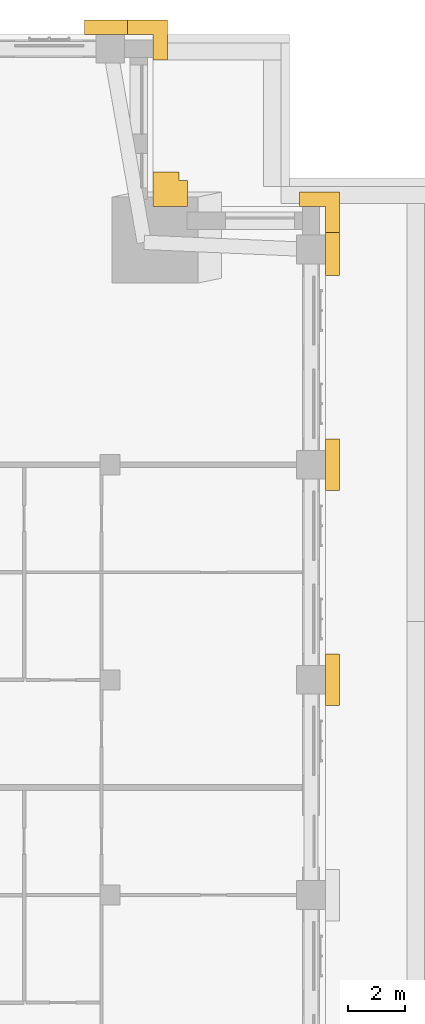
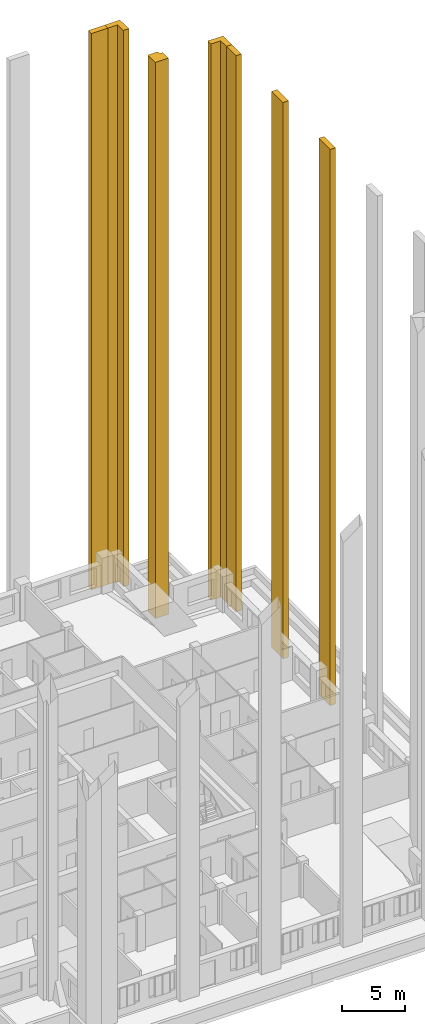
# One storey, part 12 of 12: 7 coverings.
"""IFC4 building model written with IfcOpenShell, lengths in metres."""

from ifc_helpers import new_model, si_unit, direction, frame, origin, place, context, subcontext, project, spatial, polyline, outline, extrude, material, layer, layer_set, type_object, element, save


model = new_model("IFC4")

# Units and contexts
model_context = context("Model", 3, precision=1e-05, world=origin(), true_north=direction((0.0, 1.0)))
body_context = subcontext(model_context, "Body", "Model", "MODEL_VIEW")
ifc_project = project(units=[si_unit("LENGTHUNIT", "METRE"), si_unit("AREAUNIT", "SQUARE_METRE"), si_unit("VOLUMEUNIT", "CUBIC_METRE"), si_unit("PLANEANGLEUNIT", "RADIAN"), si_unit("MASSUNIT", "GRAM", prefix="KILO")], contexts=[model_context])

# Site, building, storey
site_placement = place(None, origin())
site = spatial("IfcSite", under=ifc_project, at=site_placement, CompositionType="ELEMENT")
building_placement = place(site_placement, origin())
building = spatial("IfcBuilding", under=site, at=building_placement, Name="Tamorin Gate", CompositionType="ELEMENT")
storey_placement = place(building_placement, frame((0.0, 0.0, 266.199951171875)))
storey = spatial("IfcBuildingStorey", under=building, at=storey_placement, Name="L66", CompositionType="ELEMENT", Elevation=266.199951171875)

# Coverings
ifc_material = material(Name="Precast concrete C40/50", Category="concrete")
ifc_layer_1 = layer(ifc_material, 0.5)
ifc_layer_set_1 = layer_set([ifc_layer_1], Name="Corner pier cladding 500")
covering_type_1 = type_object("IfcCoveringType", Name="Corner pier cladding 500", PredefinedType="CLADDING", material=ifc_layer_set_1)
covering_1_placement = place(storey_placement, origin())
element("IfcCovering", 1, at=covering_1_placement, inside=storey, type_object=covering_type_1, Name="Corner pier", PredefinedType="CLADDING", context=body_context, shape_type="SweptSolid", body=[
    extrude(outline(polyline([(75.5, 92.0), (75.5, 90.60009765625), (75.0, 90.60009765625), (75.0, 91.5), (74.10009765625, 91.5), (74.10009765625, 92.0), (75.5, 92.0)])), origin(), (0.0, 0.0, 1.0), 54.0),
])
covering_2_placement = place(storey_placement, origin())
element("IfcCovering", 2, at=covering_2_placement, inside=storey, type_object=covering_type_1, Name="Corner pier", PredefinedType="CLADDING", context=body_context, shape_type="SweptSolid", body=[
    extrude(outline(polyline([(69.5, 98.0), (69.5, 96.60009765625), (69.0, 96.60009765625), (69.0, 97.5), (68.10009765625, 97.5), (68.10009765625, 98.0), (69.5, 98.0)])), origin(), (0.0, 0.0, 1.0), 54.0),
])
ifc_layer_2 = layer(ifc_material, 0.89990234375)
ifc_layer_set_2 = layer_set([ifc_layer_2], Name="Corner pier cladding 900")
covering_type_2 = type_object("IfcCoveringType", Name="Corner pier cladding 900", PredefinedType="CLADDING", material=ifc_layer_set_2)
covering_3_placement = place(storey_placement, origin())
element("IfcCovering", 3, at=covering_3_placement, inside=storey, type_object=covering_type_2, Name="Corner pier", PredefinedType="CLADDING", context=body_context, shape_type="SweptSolid", body=[
    extrude(outline(polyline([(69.89990234375, 92.39990234375), (70.199951171875, 92.39990234375), (70.199951171875, 91.5), (69.0, 91.5), (69.0, 92.699951171875), (69.89990234375, 92.699951171875), (69.89990234375, 92.39990234375)])), origin(), (0.0, 0.0, 1.0), 54.0),
])
ifc_layer_3 = layer(ifc_material, 0.5)
ifc_layer_set_3 = layer_set([ifc_layer_3], Name="Precast concrete C40/50")
covering_type_3 = type_object("IfcCoveringType", Name="Precast pier 1800x500", PredefinedType="CLADDING", material=ifc_layer_set_3)
covering_4_placement = place(storey_placement, origin())
element("IfcCovering", 4, at=covering_4_placement, inside=storey, type_object=covering_type_3, Name="Precast pier", PredefinedType="CLADDING", context=body_context, shape_type="SweptSolid", body=[
    extrude(outline(polyline([(66.60009765625, 97.5), (66.60009765625, 98.0), (68.10009765625, 98.0), (68.10009765625, 97.5), (66.60009765625, 97.5)])), origin(), (0.0, 0.0, 1.0), 54.0),
])
covering_5_placement = place(storey_placement, origin())
element("IfcCovering", 5, at=covering_5_placement, inside=storey, type_object=covering_type_3, Name="Precast pier", PredefinedType="CLADDING", context=body_context, shape_type="SweptSolid", body=[
    extrude(outline(polyline([(75.0, 74.10009765625), (75.0, 75.89990234375), (75.5, 75.89990234375), (75.5, 74.10009765625), (75.0, 74.10009765625)])), origin(), (0.0, 0.0, 1.0), 54.0),
])
covering_6_placement = place(storey_placement, origin())
element("IfcCovering", 6, at=covering_6_placement, inside=storey, type_object=covering_type_3, Name="Precast pier", PredefinedType="CLADDING", context=body_context, shape_type="SweptSolid", body=[
    extrude(outline(polyline([(75.0, 81.60009765625), (75.0, 83.39990234375), (75.5, 83.39990234375), (75.5, 81.60009765625), (75.0, 81.60009765625)])), origin(), (0.0, 0.0, 1.0), 54.0),
])
covering_7_placement = place(storey_placement, origin())
element("IfcCovering", 7, at=covering_7_placement, inside=storey, type_object=covering_type_3, Name="Precast pier", PredefinedType="CLADDING", context=body_context, shape_type="SweptSolid", body=[
    extrude(outline(polyline([(75.0, 90.60009765625), (75.5, 90.60009765625), (75.5, 89.10009765625), (75.0, 89.10009765625), (75.0, 90.60009765625)])), origin(), (0.0, 0.0, 1.0), 54.0),
])

save(model, "model.ifc")
